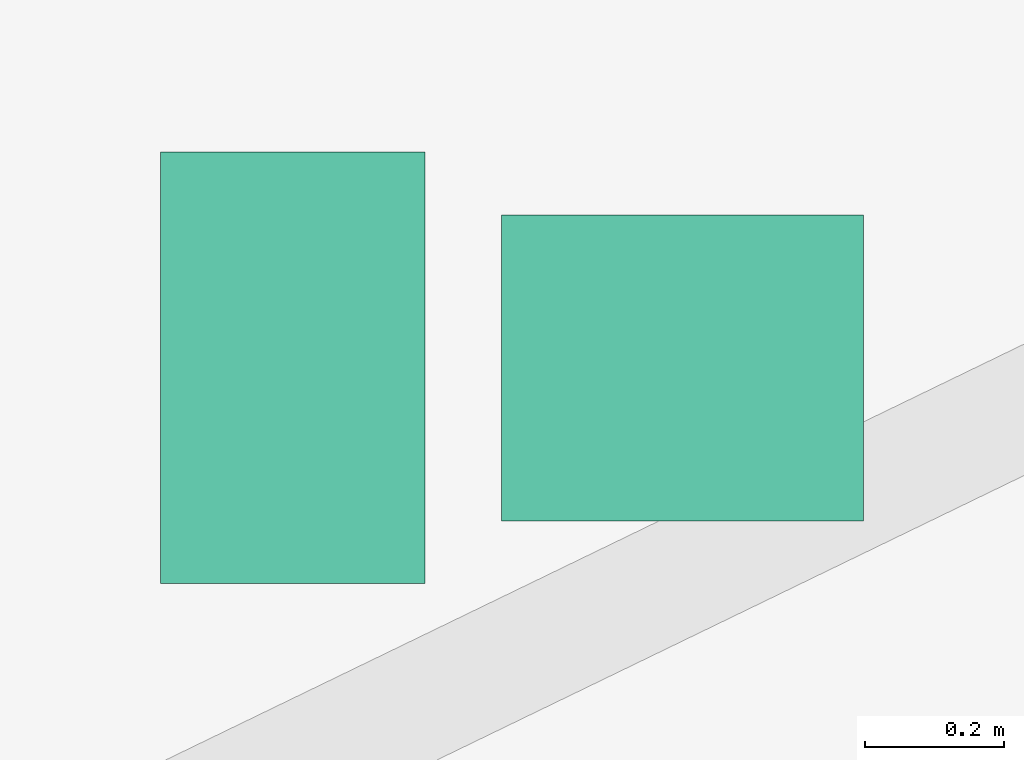
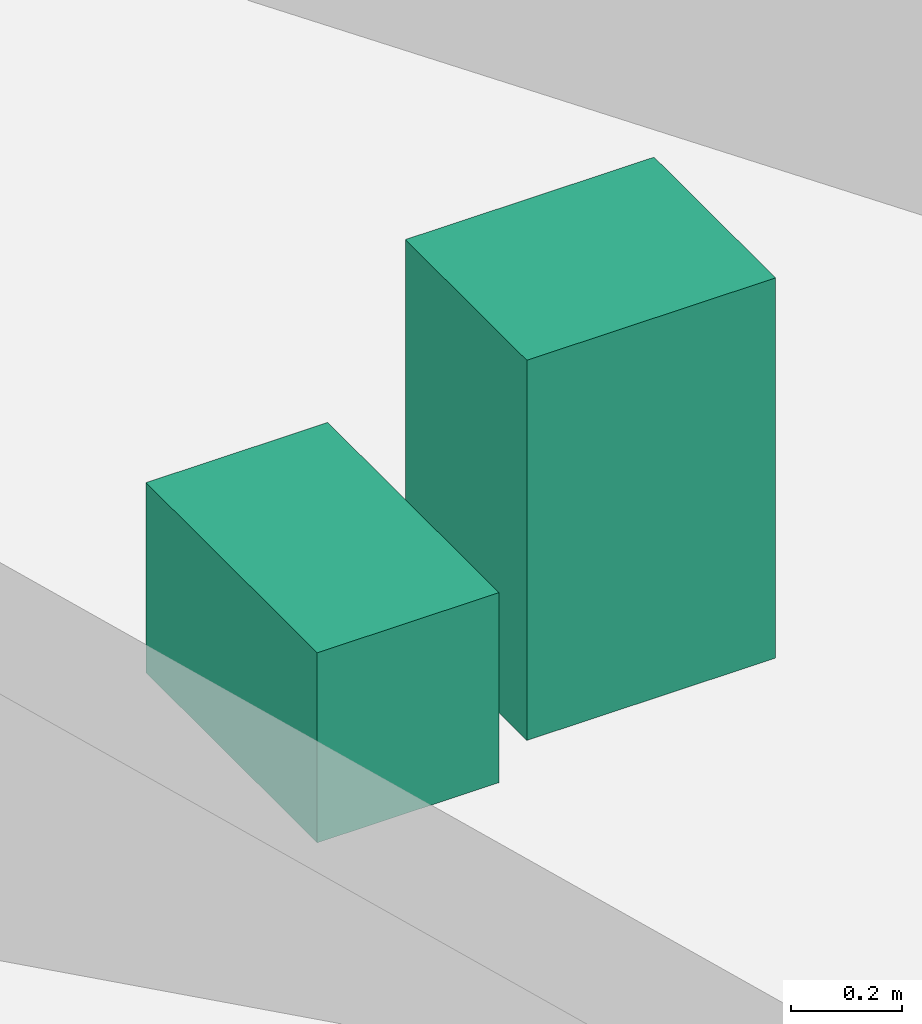
# One storey, part 11 of 11: 2 sanitary terminals.
"""IFC4 building model written with IfcOpenShell, lengths in metres."""

from ifc_helpers import new_model, si_unit, direction, frame, origin, origin_2d, place, context, subcontext, project, spatial, rectangle, extrude, source, transform, mapped, material, type_object, element, save


model = new_model("IFC4")

# Units and contexts
model_context = context("Model", 3, precision=1e-05, world=origin(), true_north=direction((0.0, 1.0)))
body_context = subcontext(model_context, "Body", "Model", "MODEL_VIEW")
ifc_project = project(units=[si_unit("LENGTHUNIT", "METRE"), si_unit("AREAUNIT", "SQUARE_METRE"), si_unit("VOLUMEUNIT", "CUBIC_METRE"), si_unit("PLANEANGLEUNIT", "RADIAN"), si_unit("MASSUNIT", "GRAM", prefix="KILO")], contexts=[model_context])

# Site, building, storey
site_placement = place(None, origin())
site = spatial("IfcSite", under=ifc_project, at=site_placement, CompositionType="ELEMENT")
building_placement = place(site_placement, origin())
building = spatial("IfcBuilding", under=site, at=building_placement, Name="Qafzar Sky-Pleat Residences", CompositionType="ELEMENT")
storey_placement = place(building_placement, frame((0.0, 0.0, 165.0)))
storey = spatial("IfcBuildingStorey", under=building, at=storey_placement, Name="L49", CompositionType="ELEMENT", Elevation=165.0)

# Sanitary terminals
ifc_material = material(Name="Vitreous china sanitaryware")
sanitary_terminal_type_1 = type_object("IfcSanitaryTerminalType", Name="SAN-WC-PAN", PredefinedType="TOILETPAN", material=ifc_material)
shared_shape_1 = source(origin(), body_context, "Body", "SweptSolid", [
    extrude(rectangle(XDim=0.3798828125, YDim=0.6201171875, at=origin_2d()), origin(), (0.0, 0.0, 1.0), 0.419921875),
])
sanitary_terminal_1_placement = place(storey_placement, frame((21.185302734375, 37.389892578125, 0.0), z_axis=(0.0, 0.0, 1.0), x_axis=(1.0, 0.0, 0.0)))
element("IfcSanitaryTerminal", 1, at=sanitary_terminal_1_placement, inside=storey, type_object=sanitary_terminal_type_1, Name="L49 Accessible Shared Washroom WC Pan", PredefinedType="TOILETPAN", context=body_context, shape_type="MappedRepresentation", body=[
    mapped(shared_shape_1, transform((0.0, 0.0, 0.0), x_axis=(1.0, 0.0, 0.0), y_axis=(0.0, 1.0, 0.0), z_axis=(0.0, 0.0, 1.0), scale=1.0)),
])
sanitary_terminal_type_2 = type_object("IfcSanitaryTerminalType", Name="SAN-BASIN", PredefinedType="WASHHANDBASIN", material=ifc_material)
shared_shape_2 = source(origin(), body_context, "Body", "SweptSolid", [
    extrude(rectangle(XDim=0.52001953125, YDim=0.43994140625, at=origin_2d()), origin(), (0.0, 0.0, 1.0), 0.840087890625),
])
sanitary_terminal_2_placement = place(storey_placement, frame((21.745361328125, 37.389892578125, 0.0), z_axis=(0.0, 0.0, 1.0), x_axis=(1.0, 0.0, 0.0)))
element("IfcSanitaryTerminal", 2, at=sanitary_terminal_2_placement, inside=storey, type_object=sanitary_terminal_type_2, Name="L49 Accessible Shared Washroom Pedestal Washbasin", PredefinedType="WASHHANDBASIN", context=body_context, shape_type="MappedRepresentation", body=[
    mapped(shared_shape_2, transform((0.0, 0.0, 0.0), x_axis=(1.0, 0.0, 0.0), y_axis=(0.0, 1.0, 0.0), z_axis=(0.0, 0.0, 1.0), scale=1.0)),
])

save(model, "model.ifc")
